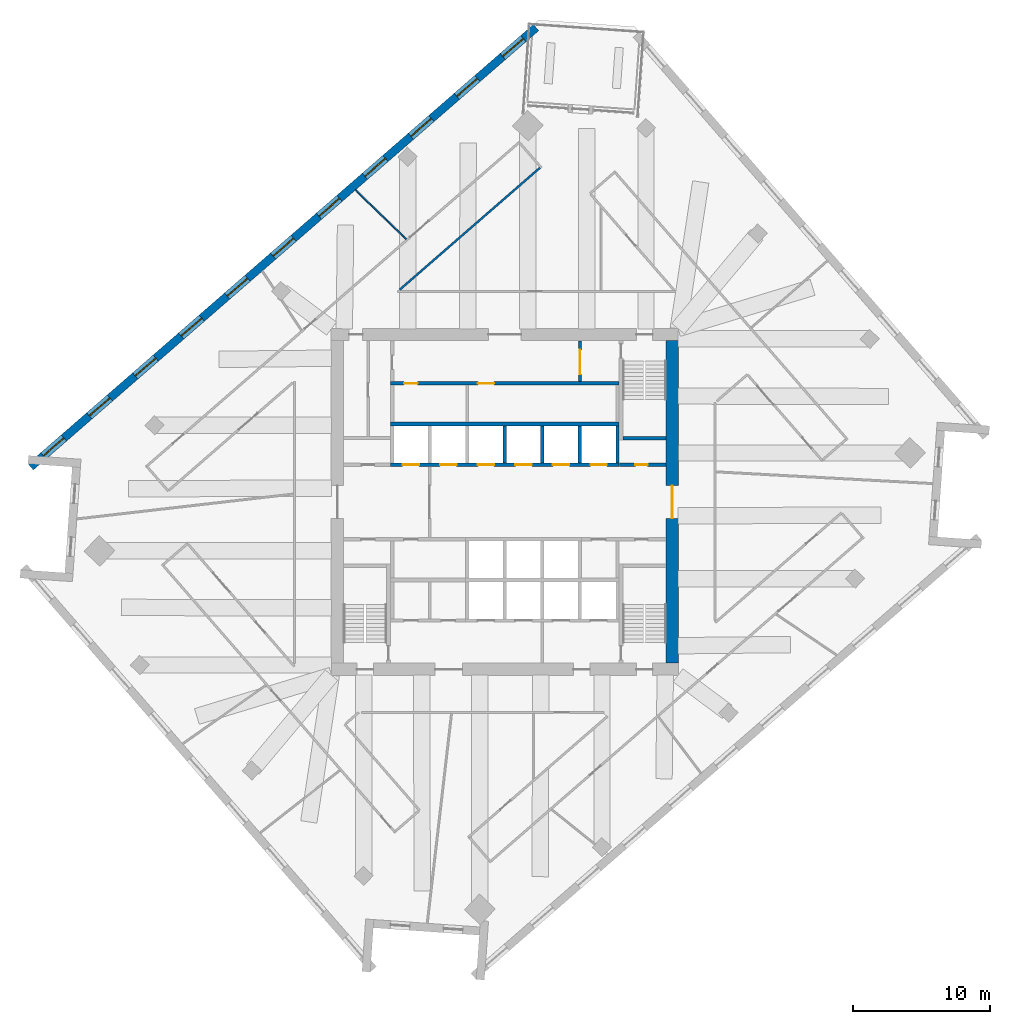
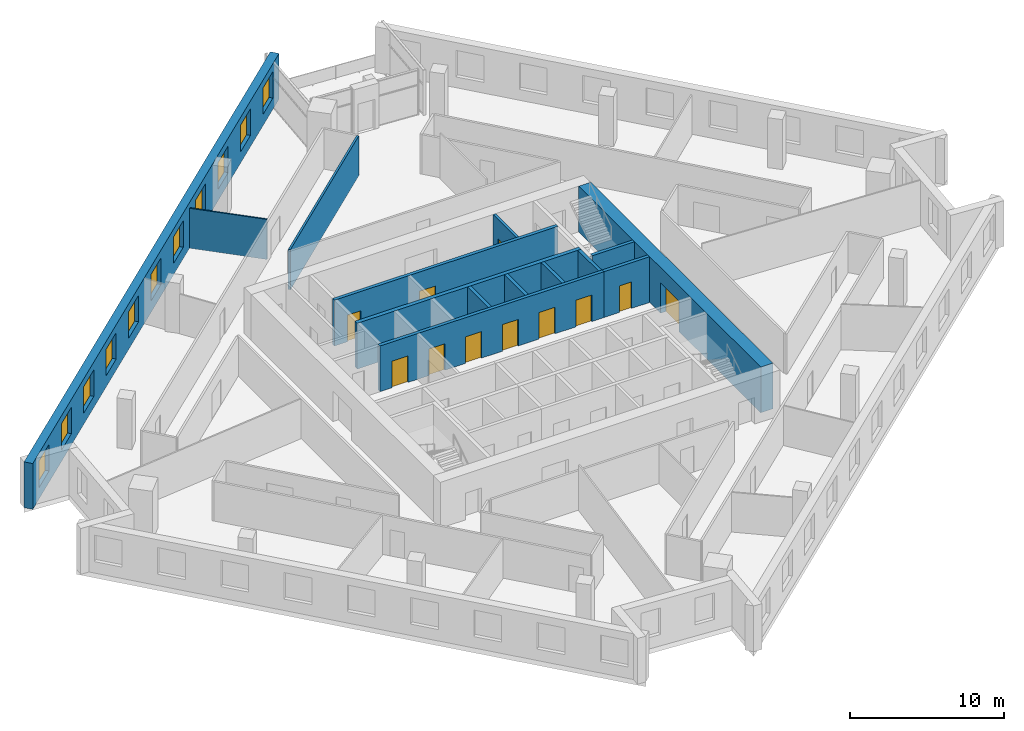
# One storey, part 7 of 11: 14 walls, 11 doors, 11 windows, 22 openings.
"""IFC4 building model written with IfcOpenShell, lengths in metres."""

from ifc_helpers import new_model, si_unit, direction, frame, frame_2d, origin, place, context, subcontext, project, spatial, rectangle, extrude, material, layer, layer_set, type_object, element, fill, save


model = new_model("IFC4")

# Units and contexts
model_context = context("Model", 3, precision=1e-05, world=origin(), true_north=direction((0.0, 1.0)))
body_context = subcontext(model_context, "Body", "Model", "MODEL_VIEW")
ifc_project = project(units=[si_unit("LENGTHUNIT", "METRE"), si_unit("AREAUNIT", "SQUARE_METRE"), si_unit("VOLUMEUNIT", "CUBIC_METRE"), si_unit("PLANEANGLEUNIT", "RADIAN"), si_unit("MASSUNIT", "GRAM", prefix="KILO")], contexts=[model_context])

# Site, building, storey
site_placement = place(None, origin())
site = spatial("IfcSite", under=ifc_project, at=site_placement, CompositionType="ELEMENT")
building_placement = place(site_placement, origin())
building = spatial("IfcBuilding", under=site, at=building_placement, Name="Dilmun Exchange Tower", CompositionType="ELEMENT")
storey_placement = place(building_placement, frame((0.0, 0.0, 189.300048828125)))
storey = spatial("IfcBuildingStorey", under=building, at=storey_placement, Name="L44", CompositionType="ELEMENT", Elevation=189.300048828125)

# Wall, opening, door
ifc_material_1 = material(Name="Concrete C40/50", Category="concrete")
ifc_layer_1 = layer(ifc_material_1, 0.199951171875)
ifc_layer_set_1 = layer_set([ifc_layer_1], Name="Concrete C40/50")
wall_type_1 = type_object("IfcWallType", Name="Core partition wall 200", PredefinedType="PARTITIONING", material=ifc_layer_set_1)
wall_1_placement = place(storey_placement, frame((5.5, 8.804931640625, 0.0), z_axis=(0.0, 0.0, 1.0), x_axis=(0.0, 1.0, 0.0)))
wall_1 = element("IfcWall", 1, at=wall_1_placement, inside=storey, type_object=wall_type_1, Name="L44 core partition wall 20", PredefinedType="PARTITIONING", context=body_context, shape_type="SweptSolid", body=[
    extrude(rectangle(XDim=2.989990234375, YDim=0.199951171875, at=frame_2d((1.4951171875, 0.0))), origin(), (0.0, 0.0, 1.0), 3.619873046875),
])
opening_1_placement = place(wall_1_placement, frame((0.532470703125, 0.0, 0.0)))
opening_1 = element("IfcOpeningElement", 2, at=opening_1_placement, cuts=wall_1, Name="Opening CD5", PredefinedType="OPENING", context=body_context, shape_type="SweptSolid", body=[
    extrude(rectangle(XDim=1.800048828125, YDim=2.10009765625, at=frame_2d((0.89990234375, 1.050048828125))), frame((0.0, 0.10986328125, 0.0), z_axis=(0.0, -1.0, 0.0), x_axis=(1.0, 0.0, 0.0)), (0.0, 0.0, 1.0), 0.219970703125),
])
ifc_material_2 = material(Name="Fire-rated steel door set", Category="steel")
door_type_1 = type_object("IfcDoorType", Name="Stair exit door 1800x2100", OperationType="SINGLE_SWING_LEFT", PredefinedType="DOOR", material=ifc_material_2)
door_1_placement = place(opening_1_placement, origin())
door_1 = element("IfcDoor", 3, at=door_1_placement, inside=storey, type_object=door_type_1, Name="L44 door Core corridor east", OperationType="SINGLE_SWING_LEFT", OverallHeight=2.10009765625, OverallWidth=1.800048828125, PredefinedType="DOOR", context=body_context, shape_type="SweptSolid", body=[
    extrude(rectangle(XDim=1.800048828125, YDim=2.10009765625, at=frame_2d((0.89990234375, 1.050048828125))), frame((0.0, 0.02490234375, 0.0), z_axis=(0.0, -1.0, 0.0), x_axis=(1.0, 0.0, 0.0)), (0.0, 0.0, 1.0), 0.050048828125),
])
fill(opening_1, door_1)

ifc_layer_2 = layer(ifc_material_1, 0.25)
ifc_layer_set_2 = layer_set([ifc_layer_2], Name="Concrete C40/50")
wall_type_2 = type_object("IfcWallType", Name="Core partition wall 250", PredefinedType="PARTITIONING", material=ifc_layer_set_2)
wall_2_placement = place(storey_placement, frame((8.3798828125, 2.72509765625, 0.0), z_axis=(0.0, 0.0, 1.0), x_axis=(1.0, 0.0, 0.0)))
wall_2 = element("IfcWall", 4, at=wall_2_placement, inside=storey, type_object=wall_type_2, Name="L44 core partition wall 12", PredefinedType="PARTITIONING", context=body_context, shape_type="SweptSolid", body=[
    extrude(rectangle(XDim=3.4150390625, YDim=0.25, at=frame_2d((1.70751953125, 0.0))), origin(), (0.0, 0.0, 1.0), 3.619873046875),
])
opening_2_placement = place(wall_2_placement, frame((1.169921875, 0.0, 0.0)))
opening_2 = element("IfcOpeningElement", 5, at=opening_2_placement, cuts=wall_2, Name="Opening CD6", PredefinedType="OPENING", context=body_context, shape_type="SweptSolid", body=[
    extrude(rectangle(XDim=0.89990234375, YDim=2.10009765625, at=frame_2d((0.449951171875, 1.050048828125))), frame((0.0, 0.135009765625, 0.0), z_axis=(0.0, -1.0, 0.0), x_axis=(1.0, 0.0, 0.0)), (0.0, 0.0, 1.0), 0.27001953125),
])
door_type_2 = type_object("IfcDoorType", Name="Core room door 900x2100", OperationType="SINGLE_SWING_LEFT", PredefinedType="DOOR", material=ifc_material_2)
door_2_placement = place(opening_2_placement, origin())
door_2 = element("IfcDoor", 6, at=door_2_placement, inside=storey, type_object=door_type_2, Name="L44 door Electrical riser", OperationType="SINGLE_SWING_LEFT", OverallHeight=2.10009765625, OverallWidth=0.89990234375, PredefinedType="DOOR", context=body_context, shape_type="SweptSolid", body=[
    extrude(rectangle(XDim=0.89990234375, YDim=2.10009765625, at=frame_2d((0.449951171875, 1.050048828125))), frame((0.0, 0.02490234375, 0.0), z_axis=(0.0, -1.0, 0.0), x_axis=(1.0, 0.0, 0.0)), (0.0, 0.0, 1.0), 0.050048828125),
])
fill(opening_2, door_2)

# Wall, openings, doors
wall_3_placement = place(storey_placement, frame((-8.35009765625, 8.675048828125, 0.0), z_axis=(0.0, 0.0, 1.0), x_axis=(1.0, 0.0, 0.0)))
wall_3 = element("IfcWall", 7, at=wall_3_placement, inside=storey, type_object=wall_type_2, Name="L44 core partition wall 18", PredefinedType="PARTITIONING", context=body_context, shape_type="SweptSolid", body=[
    extrude(rectangle(XDim=16.72021484375, YDim=0.25, at=frame_2d((8.360107421875, 0.0))), origin(), (0.0, 0.0, 1.0), 3.619873046875),
])
opening_3_placement = place(wall_3_placement, frame((0.97509765625, 0.0, 0.0)))
opening_3 = element("IfcOpeningElement", 8, at=opening_3_placement, cuts=wall_3, Name="Opening CD4", PredefinedType="OPENING", context=body_context, shape_type="SweptSolid", body=[
    extrude(rectangle(XDim=1.0, YDim=2.10009765625, at=frame_2d((0.5, 1.050048828125))), frame((0.0, 0.135009765625, 0.0), z_axis=(0.0, -1.0, 0.0), x_axis=(1.0, 0.0, 0.0)), (0.0, 0.0, 1.0), 0.27001953125),
])
opening_4_placement = place(wall_3_placement, frame((6.375, 0.0, 0.0)))
opening_4 = element("IfcOpeningElement", 9, at=opening_4_placement, cuts=wall_3, Name="Opening CD3", PredefinedType="OPENING", context=body_context, shape_type="SweptSolid", body=[
    extrude(rectangle(XDim=1.199951171875, YDim=2.10009765625, at=frame_2d((0.60009765625, 1.050048828125))), frame((0.0, 0.135009765625, 0.0), z_axis=(0.0, -1.0, 0.0), x_axis=(1.0, 0.0, 0.0)), (0.0, 0.0, 1.0), 0.27001953125),
])
door_type_3 = type_object("IfcDoorType", Name="Core room door 1000x2100", OperationType="SINGLE_SWING_LEFT", PredefinedType="DOOR", material=ifc_material_2)
door_3_placement = place(opening_3_placement, origin())
door_3 = element("IfcDoor", 10, at=door_3_placement, inside=storey, type_object=door_type_3, Name="L44 door Tenant services room", OperationType="SINGLE_SWING_LEFT", OverallHeight=2.10009765625, OverallWidth=1.0, PredefinedType="DOOR", context=body_context, shape_type="SweptSolid", body=[
    extrude(rectangle(XDim=1.0, YDim=2.10009765625, at=frame_2d((0.5, 1.050048828125))), frame((0.0, 0.02490234375, 0.0), z_axis=(0.0, -1.0, 0.0), x_axis=(1.0, 0.0, 0.0)), (0.0, 0.0, 1.0), 0.050048828125),
])
fill(opening_3, door_3)
door_type_4 = type_object("IfcDoorType", Name="Stair exit door 1200x2100", OperationType="SINGLE_SWING_LEFT", PredefinedType="DOOR", material=ifc_material_2)
door_4_placement = place(opening_4_placement, origin())
door_4 = element("IfcDoor", 11, at=door_4_placement, inside=storey, type_object=door_type_4, Name="L44 door Tenant amenity store", OperationType="SINGLE_SWING_LEFT", OverallHeight=2.10009765625, OverallWidth=1.199951171875, PredefinedType="DOOR", context=body_context, shape_type="SweptSolid", body=[
    extrude(rectangle(XDim=1.199951171875, YDim=2.10009765625, at=frame_2d((0.60009765625, 1.050048828125))), frame((0.0, 0.02490234375, 0.0), z_axis=(0.0, -1.0, 0.0), x_axis=(1.0, 0.0, 0.0)), (0.0, 0.0, 1.0), 0.050048828125),
])
fill(opening_4, door_4)

# Wall, opening, door
ifc_material_3 = material(Name="Concrete C60/75", Category="concrete")
ifc_layer_3 = layer(ifc_material_3, 0.89990234375)
ifc_layer_set_3 = layer_set([ifc_layer_3], Name="Concrete C60/75")
wall_type_3 = type_object("IfcWallType", Name="Core shear wall 900 Concrete C60/75", PredefinedType="SHEAR", material=ifc_layer_set_3)
wall_4_placement = place(storey_placement, frame((12.25, -11.800048828125, 0.0), z_axis=(0.0, 0.0, 1.0), x_axis=(0.0, 1.0, 0.0)))
wall_4 = element("IfcWall", 12, at=wall_4_placement, inside=storey, type_object=wall_type_3, Name="L44 core shear wall E", PredefinedType="SHEAR", context=body_context, shape_type="SweptSolid", body=[
    extrude(rectangle(XDim=23.60009765625, YDim=0.89990234375, at=frame_2d((11.800048828125, 0.0))), origin(), (0.0, 0.0, 1.0), 3.619873046875),
])
opening_5_placement = place(wall_4_placement, frame((10.60009765625, 0.0, 0.0)))
opening_5 = element("IfcOpeningElement", 13, at=opening_5_placement, cuts=wall_4, Name="Opening CD1", PredefinedType="OPENING", context=body_context, shape_type="SweptSolid", body=[
    extrude(rectangle(XDim=2.39990234375, YDim=2.39990234375, at=frame_2d((1.199951171875, 1.199951171875))), frame((0.0, 0.4599609375, 0.0), z_axis=(0.0, -1.0, 0.0), x_axis=(1.0, 0.0, 0.0)), (0.0, 0.0, 1.0), 0.919921875),
])
door_type_5 = type_object("IfcDoorType", Name="Core lobby door 2400x2400", OperationType="DOUBLE_DOOR_DOUBLE_SWING", PredefinedType="DOOR", material=ifc_material_2)
door_5_placement = place(opening_5_placement, origin())
door_5 = element("IfcDoor", 14, at=door_5_placement, inside=storey, type_object=door_type_5, Name="L44 door Central lift lobby", OperationType="SINGLE_SWING_LEFT", OverallHeight=2.39990234375, OverallWidth=2.39990234375, PredefinedType="DOOR", context=body_context, shape_type="SweptSolid", body=[
    extrude(rectangle(XDim=2.39990234375, YDim=2.39990234375, at=frame_2d((1.199951171875, 1.199951171875))), frame((0.0, 0.02490234375, 0.0), z_axis=(0.0, -1.0, 0.0), x_axis=(1.0, 0.0, 0.0)), (0.0, 0.0, 1.0), 0.050048828125),
])
fill(opening_5, door_5)

# Walls
ifc_material_4 = material(Name="Corridor wall 150")
ifc_layer_4 = layer(ifc_material_4, 0.14990234375)
ifc_layer_set_4 = layer_set([ifc_layer_4], Name="Corridor wall 150")
wall_type_4 = type_object("IfcWallType", Name="Corridor wall 150", PredefinedType="PARTITIONING", material=ifc_layer_set_4)
wall_5_placement = place(storey_placement, frame((-7.691650390625, 15.531494140625, 0.0), z_axis=(0.0, 0.0, 1.0), x_axis=(0.754705202017, 0.656064065506, 0.0)))
element("IfcWall", 15, at=wall_5_placement, inside=storey, type_object=wall_type_4, Name="Corridor wall", PredefinedType="PARTITIONING", context=body_context, shape_type="SweptSolid", body=[
    extrude(rectangle(XDim=13.602783203125, YDim=0.14990234375, at=frame_2d((6.80126953125, 0.0))), origin(), (0.0, 0.0, 1.0), 3.169921875),
])
ifc_layer_5 = layer(ifc_material_1, 0.300048828125)
ifc_layer_set_5 = layer_set([ifc_layer_5], Name="Concrete C40/50")
wall_type_5 = type_object("IfcWallType", Name="Lift shaft shared wall 300", PredefinedType="SOLIDWALL", material=ifc_layer_set_5)
wall_6_placement = place(storey_placement, frame((-8.375, 5.699951171875, 0.0), z_axis=(0.0, 0.0, 1.0), x_axis=(1.0, 0.0, 0.0)))
element("IfcWall", 16, at=wall_6_placement, inside=storey, type_object=wall_type_5, Name="L44 lift shaft rear wall N", PredefinedType="SOLIDWALL", context=body_context, shape_type="SweptSolid", body=[
    extrude(rectangle(XDim=16.75, YDim=0.300048828125, at=frame_2d((8.375, 0.0))), origin(), (0.0, 0.0, 1.0), 3.619873046875),
])

# Wall, openings, doors
ifc_layer_6 = layer(ifc_material_1, 0.25)
ifc_layer_set_6 = layer_set([ifc_layer_6], Name="Concrete C40/50")
wall_type_6 = type_object("IfcWallType", Name="Lift shaft wall 250", PredefinedType="SOLIDWALL", material=ifc_layer_set_6)
wall_7_placement = place(storey_placement, frame((-8.375, 2.72509765625, 0.0), z_axis=(0.0, 0.0, 1.0), x_axis=(1.0, 0.0, 0.0)))
wall_7 = element("IfcWall", 17, at=wall_7_placement, inside=storey, type_object=wall_type_6, Name="L44 lift shaft front wall N1", PredefinedType="SOLIDWALL", context=body_context, shape_type="SweptSolid", body=[
    extrude(rectangle(XDim=16.75, YDim=0.25, at=frame_2d((8.375, 0.0))), origin(), (0.0, 0.0, 1.0), 3.619873046875),
])
opening_6_placement = place(wall_7_placement, frame((0.89990234375, 0.0, 0.0)))
opening_6 = element("IfcOpeningElement", 18, at=opening_6_placement, cuts=wall_7, Name="Opening LD", PredefinedType="OPENING", context=body_context, shape_type="SweptSolid", body=[
    extrude(rectangle(XDim=1.199951171875, YDim=2.10009765625, at=frame_2d((0.60009765625, 1.050048828125))), frame((0.0, 0.135009765625, 0.0), z_axis=(0.0, -1.0, 0.0), x_axis=(1.0, 0.0, 0.0)), (0.0, 0.0, 1.0), 0.27001953125),
])
opening_7_placement = place(wall_7_placement, frame((3.64990234375, 0.0, 0.0)))
opening_7 = element("IfcOpeningElement", 19, at=opening_7_placement, cuts=wall_7, Name="Opening LD", PredefinedType="OPENING", context=body_context, shape_type="SweptSolid", body=[
    extrude(rectangle(XDim=1.199951171875, YDim=2.10009765625, at=frame_2d((0.60009765625, 1.050048828125))), frame((0.0, 0.135009765625, 0.0), z_axis=(0.0, -1.0, 0.0), x_axis=(1.0, 0.0, 0.0)), (0.0, 0.0, 1.0), 0.27001953125),
])
opening_8_placement = place(wall_7_placement, frame((6.39990234375, 0.0, 0.0)))
opening_8 = element("IfcOpeningElement", 20, at=opening_8_placement, cuts=wall_7, Name="Opening LD", PredefinedType="OPENING", context=body_context, shape_type="SweptSolid", body=[
    extrude(rectangle(XDim=1.199951171875, YDim=2.10009765625, at=frame_2d((0.60009765625, 1.050048828125))), frame((0.0, 0.135009765625, 0.0), z_axis=(0.0, -1.0, 0.0), x_axis=(1.0, 0.0, 0.0)), (0.0, 0.0, 1.0), 0.27001953125),
])
opening_9_placement = place(wall_7_placement, frame((9.14990234375, 0.0, 0.0)))
opening_9 = element("IfcOpeningElement", 21, at=opening_9_placement, cuts=wall_7, Name="Opening LD", PredefinedType="OPENING", context=body_context, shape_type="SweptSolid", body=[
    extrude(rectangle(XDim=1.199951171875, YDim=2.10009765625, at=frame_2d((0.60009765625, 1.050048828125))), frame((0.0, 0.135009765625, 0.0), z_axis=(0.0, -1.0, 0.0), x_axis=(1.0, 0.0, 0.0)), (0.0, 0.0, 1.0), 0.27001953125),
])
opening_10_placement = place(wall_7_placement, frame((11.89990234375, 0.0, 0.0)))
opening_10 = element("IfcOpeningElement", 22, at=opening_10_placement, cuts=wall_7, Name="Opening LD", PredefinedType="OPENING", context=body_context, shape_type="SweptSolid", body=[
    extrude(rectangle(XDim=1.199951171875, YDim=2.10009765625, at=frame_2d((0.60009765625, 1.050048828125))), frame((0.0, 0.135009765625, 0.0), z_axis=(0.0, -1.0, 0.0), x_axis=(1.0, 0.0, 0.0)), (0.0, 0.0, 1.0), 0.27001953125),
])
opening_11_placement = place(wall_7_placement, frame((14.64990234375, 0.0, 0.0)))
opening_11 = element("IfcOpeningElement", 23, at=opening_11_placement, cuts=wall_7, Name="Opening LD", PredefinedType="OPENING", context=body_context, shape_type="SweptSolid", body=[
    extrude(rectangle(XDim=1.199951171875, YDim=2.10009765625, at=frame_2d((0.60009765625, 1.050048828125))), frame((0.0, 0.135009765625, 0.0), z_axis=(0.0, -1.0, 0.0), x_axis=(1.0, 0.0, 0.0)), (0.0, 0.0, 1.0), 0.27001953125),
])
door_type_6 = type_object("IfcDoorType", Name="Lift landing door 1200x2100", OperationType="DOUBLE_DOOR_SLIDING", PredefinedType="DOOR", material=ifc_material_2)
door_6_placement = place(opening_6_placement, origin())
door_6 = element("IfcDoor", 24, at=door_6_placement, inside=storey, type_object=door_type_6, Name="L44 landing door MR1", OperationType="DOUBLE_DOOR_SLIDING", OverallHeight=2.10009765625, OverallWidth=1.199951171875, PredefinedType="DOOR", context=body_context, shape_type="SweptSolid", body=[
    extrude(rectangle(XDim=1.199951171875, YDim=2.10009765625, at=frame_2d((0.60009765625, 1.050048828125))), frame((0.0, 0.02490234375, 0.0), z_axis=(0.0, -1.0, 0.0), x_axis=(1.0, 0.0, 0.0)), (0.0, 0.0, 1.0), 0.050048828125),
])
fill(opening_6, door_6)
door_7_placement = place(opening_7_placement, origin())
door_7 = element("IfcDoor", 25, at=door_7_placement, inside=storey, type_object=door_type_6, Name="L44 landing door MR2", OperationType="DOUBLE_DOOR_SLIDING", OverallHeight=2.10009765625, OverallWidth=1.199951171875, PredefinedType="DOOR", context=body_context, shape_type="SweptSolid", body=[
    extrude(rectangle(XDim=1.199951171875, YDim=2.10009765625, at=frame_2d((0.60009765625, 1.050048828125))), frame((0.0, 0.02490234375, 0.0), z_axis=(0.0, -1.0, 0.0), x_axis=(1.0, 0.0, 0.0)), (0.0, 0.0, 1.0), 0.050048828125),
])
fill(opening_7, door_7)
door_8_placement = place(opening_8_placement, origin())
door_8 = element("IfcDoor", 26, at=door_8_placement, inside=storey, type_object=door_type_6, Name="L44 landing door MR3", OperationType="DOUBLE_DOOR_SLIDING", OverallHeight=2.10009765625, OverallWidth=1.199951171875, PredefinedType="DOOR", context=body_context, shape_type="SweptSolid", body=[
    extrude(rectangle(XDim=1.199951171875, YDim=2.10009765625, at=frame_2d((0.60009765625, 1.050048828125))), frame((0.0, 0.02490234375, 0.0), z_axis=(0.0, -1.0, 0.0), x_axis=(1.0, 0.0, 0.0)), (0.0, 0.0, 1.0), 0.050048828125),
])
fill(opening_8, door_8)
door_9_placement = place(opening_9_placement, origin())
door_9 = element("IfcDoor", 27, at=door_9_placement, inside=storey, type_object=door_type_6, Name="L44 landing door MR4", OperationType="DOUBLE_DOOR_SLIDING", OverallHeight=2.10009765625, OverallWidth=1.199951171875, PredefinedType="DOOR", context=body_context, shape_type="SweptSolid", body=[
    extrude(rectangle(XDim=1.199951171875, YDim=2.10009765625, at=frame_2d((0.60009765625, 1.050048828125))), frame((0.0, 0.02490234375, 0.0), z_axis=(0.0, -1.0, 0.0), x_axis=(1.0, 0.0, 0.0)), (0.0, 0.0, 1.0), 0.050048828125),
])
fill(opening_9, door_9)
door_10_placement = place(opening_10_placement, origin())
door_10 = element("IfcDoor", 28, at=door_10_placement, inside=storey, type_object=door_type_6, Name="L44 landing door MR5", OperationType="DOUBLE_DOOR_SLIDING", OverallHeight=2.10009765625, OverallWidth=1.199951171875, PredefinedType="DOOR", context=body_context, shape_type="SweptSolid", body=[
    extrude(rectangle(XDim=1.199951171875, YDim=2.10009765625, at=frame_2d((0.60009765625, 1.050048828125))), frame((0.0, 0.02490234375, 0.0), z_axis=(0.0, -1.0, 0.0), x_axis=(1.0, 0.0, 0.0)), (0.0, 0.0, 1.0), 0.050048828125),
])
fill(opening_10, door_10)
door_11_placement = place(opening_11_placement, origin())
door_11 = element("IfcDoor", 29, at=door_11_placement, inside=storey, type_object=door_type_6, Name="L44 landing door MR6", OperationType="DOUBLE_DOOR_SLIDING", OverallHeight=2.10009765625, OverallWidth=1.199951171875, PredefinedType="DOOR", context=body_context, shape_type="SweptSolid", body=[
    extrude(rectangle(XDim=1.199951171875, YDim=2.10009765625, at=frame_2d((0.60009765625, 1.050048828125))), frame((0.0, 0.02490234375, 0.0), z_axis=(0.0, -1.0, 0.0), x_axis=(1.0, 0.0, 0.0)), (0.0, 0.0, 1.0), 0.050048828125),
])
fill(opening_11, door_11)

# Walls
for number, where, z_axis, x_axis, name in (
    (30, (0.0, 2.85009765625, 0.0), (0.0, 0.0, 1.0), (0.0, 1.0, 0.0), "L44 lift shaft divider N13"),
    (31, (2.75, 2.85009765625, 0.0), (0.0, 0.0, 1.0), (0.0, 1.0, 0.0), "L44 lift shaft divider N14"),
    (32, (5.5, 2.85009765625, 0.0), (0.0, 0.0, 1.0), (0.0, 1.0, 0.0), "L44 lift shaft divider N15"),
    (33, (8.25, 2.85009765625, 0.0), (0.0, 0.0, 1.0), (0.0, 1.0, 0.0), "L44 lift shaft divider N16"),
):
    element("IfcWall", number, at=place(storey_placement, frame(where, z_axis=z_axis, x_axis=x_axis)), inside=storey, type_object=wall_type_6, Name=name, PredefinedType="SOLIDWALL", context=body_context, shape_type="SweptSolid", body=[
        extrude(rectangle(XDim=2.699951171875, YDim=0.25, at=frame_2d((1.35009765625, 0.0))), origin(), (0.0, 0.0, 1.0), 3.619873046875),
    ])
ifc_material_5 = material(Name="Partition 100")
ifc_layer_7 = layer(ifc_material_5, 0.10009765625)
ifc_layer_set_7 = layer_set([ifc_layer_7], Name="Partition 100")
wall_type_7 = type_object("IfcWallType", Name="Partition 100", PredefinedType="PARTITIONING", material=ifc_layer_set_7)
wall_8_placement = place(storey_placement, frame((-10.925537109375, 22.830078125, 0.0), z_axis=(0.0, 0.0, 1.0), x_axis=(0.718303647436, -0.695729739252, 0.0)))
element("IfcWall", 34, at=wall_8_placement, inside=storey, type_object=wall_type_7, Name="Partition", PredefinedType="PARTITIONING", context=body_context, shape_type="SweptSolid", body=[
    extrude(rectangle(XDim=5.169677734375, YDim=0.10009765625, at=frame_2d((2.5849609375, 0.0))), origin(), (0.0, 0.0, 1.0), 3.169921875),
])

# Wall, openings, windows
ifc_material_6 = material(Name="Precast concrete C50/60", Category="concrete")
ifc_layer_8 = layer(ifc_material_6, 0.60009765625)
ifc_layer_set_8 = layer_set([ifc_layer_8], Name="Precast concrete C50/60")
wall_type_8 = type_object("IfcWallType", Name="Precast stone-clad wall 600", PredefinedType="STANDARD", material=ifc_layer_set_8)
wall_9_placement = place(storey_placement, frame((2.28564453125, 34.71484375, 0.0), z_axis=(0.0, 0.0, 1.0), x_axis=(-0.754708272811, -0.656060532993, 0.0)))
wall_9 = element("IfcWall", 35, at=wall_9_placement, inside=storey, type_object=wall_type_8, Name="Facade wall L44-03", PredefinedType="STANDARD", context=body_context, shape_type="SweptSolid", body=[
    extrude(rectangle(XDim=49.0, YDim=0.60009765625, at=frame_2d((24.5, 0.0))), origin(), (0.0, 0.0, 1.0), 3.619873046875),
])
opening_12_placement = place(wall_9_placement, frame((1.227294921875, 0.0, 0.89990234375)))
opening_12 = element("IfcOpeningElement", 36, at=opening_12_placement, cuts=wall_9, Name="Opening W200-210", PredefinedType="OPENING", context=body_context, shape_type="SweptSolid", body=[
    extrude(rectangle(XDim=2.0, YDim=2.10009765625, at=frame_2d((1.0, 1.050048828125))), frame((0.0, 0.31005859375, 0.0), z_axis=(0.0, -1.0, 0.0), x_axis=(1.0, 0.0, 0.0)), (0.0, 0.0, 1.0), 0.6201171875),
])
opening_13_placement = place(wall_9_placement, frame((5.681884765625, 0.0, 0.89990234375)))
opening_13 = element("IfcOpeningElement", 37, at=opening_13_placement, cuts=wall_9, Name="Opening W200-210", PredefinedType="OPENING", context=body_context, shape_type="SweptSolid", body=[
    extrude(rectangle(XDim=2.0, YDim=2.10009765625, at=frame_2d((1.0, 1.050048828125))), frame((0.0, 0.31005859375, 0.0), z_axis=(0.0, -1.0, 0.0), x_axis=(1.0, 0.0, 0.0)), (0.0, 0.0, 1.0), 0.6201171875),
])
opening_14_placement = place(wall_9_placement, frame((10.136474609375, 0.0, 0.89990234375)))
opening_14 = element("IfcOpeningElement", 38, at=opening_14_placement, cuts=wall_9, Name="Opening W200-210", PredefinedType="OPENING", context=body_context, shape_type="SweptSolid", body=[
    extrude(rectangle(XDim=2.0, YDim=2.10009765625, at=frame_2d((1.0, 1.050048828125))), frame((0.0, 0.31005859375, 0.0), z_axis=(0.0, -1.0, 0.0), x_axis=(1.0, 0.0, 0.0)), (0.0, 0.0, 1.0), 0.6201171875),
])
opening_15_placement = place(wall_9_placement, frame((14.5908203125, 0.0, 0.89990234375)))
opening_15 = element("IfcOpeningElement", 39, at=opening_15_placement, cuts=wall_9, Name="Opening W200-210", PredefinedType="OPENING", context=body_context, shape_type="SweptSolid", body=[
    extrude(rectangle(XDim=2.0, YDim=2.10009765625, at=frame_2d((1.0, 1.050048828125))), frame((0.0, 0.31005859375, 0.0), z_axis=(0.0, -1.0, 0.0), x_axis=(1.0, 0.0, 0.0)), (0.0, 0.0, 1.0), 0.6201171875),
])
opening_16_placement = place(wall_9_placement, frame((19.04541015625, 0.0, 0.89990234375)))
opening_16 = element("IfcOpeningElement", 40, at=opening_16_placement, cuts=wall_9, Name="Opening W200-210", PredefinedType="OPENING", context=body_context, shape_type="SweptSolid", body=[
    extrude(rectangle(XDim=2.0, YDim=2.10009765625, at=frame_2d((1.0, 1.050048828125))), frame((0.0, 0.31005859375, 0.0), z_axis=(0.0, -1.0, 0.0), x_axis=(1.0, 0.0, 0.0)), (0.0, 0.0, 1.0), 0.6201171875),
])
opening_17_placement = place(wall_9_placement, frame((23.5, 0.0, 0.89990234375)))
opening_17 = element("IfcOpeningElement", 41, at=opening_17_placement, cuts=wall_9, Name="Opening W200-210", PredefinedType="OPENING", context=body_context, shape_type="SweptSolid", body=[
    extrude(rectangle(XDim=2.0, YDim=2.10009765625, at=frame_2d((1.0, 1.050048828125))), frame((0.0, 0.31005859375, 0.0), z_axis=(0.0, -1.0, 0.0), x_axis=(1.0, 0.0, 0.0)), (0.0, 0.0, 1.0), 0.6201171875),
])
opening_18_placement = place(wall_9_placement, frame((27.95458984375, 0.0, 0.89990234375)))
opening_18 = element("IfcOpeningElement", 42, at=opening_18_placement, cuts=wall_9, Name="Opening W200-210", PredefinedType="OPENING", context=body_context, shape_type="SweptSolid", body=[
    extrude(rectangle(XDim=2.0, YDim=2.10009765625, at=frame_2d((1.0, 1.050048828125))), frame((0.0, 0.31005859375, 0.0), z_axis=(0.0, -1.0, 0.0), x_axis=(1.0, 0.0, 0.0)), (0.0, 0.0, 1.0), 0.6201171875),
])
opening_19_placement = place(wall_9_placement, frame((32.4091796875, 0.0, 0.89990234375)))
opening_19 = element("IfcOpeningElement", 43, at=opening_19_placement, cuts=wall_9, Name="Opening W200-210", PredefinedType="OPENING", context=body_context, shape_type="SweptSolid", body=[
    extrude(rectangle(XDim=2.0, YDim=2.10009765625, at=frame_2d((1.0, 1.050048828125))), frame((0.0, 0.31005859375, 0.0), z_axis=(0.0, -1.0, 0.0), x_axis=(1.0, 0.0, 0.0)), (0.0, 0.0, 1.0), 0.6201171875),
])
opening_20_placement = place(wall_9_placement, frame((36.863525390625, 0.0, 0.89990234375)))
opening_20 = element("IfcOpeningElement", 44, at=opening_20_placement, cuts=wall_9, Name="Opening W200-210", PredefinedType="OPENING", context=body_context, shape_type="SweptSolid", body=[
    extrude(rectangle(XDim=2.0, YDim=2.10009765625, at=frame_2d((1.0, 1.050048828125))), frame((0.0, 0.31005859375, 0.0), z_axis=(0.0, -1.0, 0.0), x_axis=(1.0, 0.0, 0.0)), (0.0, 0.0, 1.0), 0.6201171875),
])
opening_21_placement = place(wall_9_placement, frame((41.318115234375, 0.0, 0.89990234375)))
opening_21 = element("IfcOpeningElement", 45, at=opening_21_placement, cuts=wall_9, Name="Opening W200-210", PredefinedType="OPENING", context=body_context, shape_type="SweptSolid", body=[
    extrude(rectangle(XDim=2.0, YDim=2.10009765625, at=frame_2d((1.0, 1.050048828125))), frame((0.0, 0.31005859375, 0.0), z_axis=(0.0, -1.0, 0.0), x_axis=(1.0, 0.0, 0.0)), (0.0, 0.0, 1.0), 0.6201171875),
])
opening_22_placement = place(wall_9_placement, frame((45.772705078125, 0.0, 0.89990234375)))
opening_22 = element("IfcOpeningElement", 46, at=opening_22_placement, cuts=wall_9, Name="Opening W200-210", PredefinedType="OPENING", context=body_context, shape_type="SweptSolid", body=[
    extrude(rectangle(XDim=2.0, YDim=2.10009765625, at=frame_2d((1.0, 1.050048828125))), frame((0.0, 0.31005859375, 0.0), z_axis=(0.0, -1.0, 0.0), x_axis=(1.0, 0.0, 0.0)), (0.0, 0.0, 1.0), 0.6201171875),
])
ifc_material_7 = material(Name="Clear low-emissivity glass in aluminium frame", Category="aluminium")
window_type = type_object("IfcWindowType", Name="Punched window 2000 x 2100", PartitioningType="DOUBLE_PANEL_VERTICAL", PredefinedType="WINDOW", material=ifc_material_7)
window_1_placement = place(opening_12_placement, origin())
window_1 = element("IfcWindow", 47, at=window_1_placement, inside=storey, type_object=window_type, Name="Window 4.1", OverallHeight=2.10009765625, OverallWidth=2.0, PartitioningType="SINGLE_PANEL", PredefinedType="WINDOW", context=body_context, shape_type="SweptSolid", body=[
    extrude(rectangle(XDim=2.0, YDim=2.10009765625, at=frame_2d((1.0, 1.050048828125))), frame((0.0, 0.030029296875, 0.0), z_axis=(0.0, -1.0, 0.0), x_axis=(1.0, 0.0, 0.0)), (0.0, 0.0, 1.0), 0.06005859375),
])
fill(opening_12, window_1)
window_2_placement = place(opening_13_placement, origin())
window_2 = element("IfcWindow", 48, at=window_2_placement, inside=storey, type_object=window_type, Name="Window 4.2", OverallHeight=2.10009765625, OverallWidth=2.0, PartitioningType="SINGLE_PANEL", PredefinedType="WINDOW", context=body_context, shape_type="SweptSolid", body=[
    extrude(rectangle(XDim=2.0, YDim=2.10009765625, at=frame_2d((1.0, 1.050048828125))), frame((0.0, 0.030029296875, 0.0), z_axis=(0.0, -1.0, 0.0), x_axis=(1.0, 0.0, 0.0)), (0.0, 0.0, 1.0), 0.06005859375),
])
fill(opening_13, window_2)
window_3_placement = place(opening_14_placement, origin())
window_3 = element("IfcWindow", 49, at=window_3_placement, inside=storey, type_object=window_type, Name="Window 4.3", OverallHeight=2.10009765625, OverallWidth=2.0, PartitioningType="SINGLE_PANEL", PredefinedType="WINDOW", context=body_context, shape_type="SweptSolid", body=[
    extrude(rectangle(XDim=2.0, YDim=2.10009765625, at=frame_2d((1.0, 1.050048828125))), frame((0.0, 0.030029296875, 0.0), z_axis=(0.0, -1.0, 0.0), x_axis=(1.0, 0.0, 0.0)), (0.0, 0.0, 1.0), 0.06005859375),
])
fill(opening_14, window_3)
window_4_placement = place(opening_15_placement, origin())
window_4 = element("IfcWindow", 50, at=window_4_placement, inside=storey, type_object=window_type, Name="Window 4.4", OverallHeight=2.10009765625, OverallWidth=2.0, PartitioningType="SINGLE_PANEL", PredefinedType="WINDOW", context=body_context, shape_type="SweptSolid", body=[
    extrude(rectangle(XDim=2.0, YDim=2.10009765625, at=frame_2d((1.0, 1.050048828125))), frame((0.0, 0.030029296875, 0.0), z_axis=(0.0, -1.0, 0.0), x_axis=(1.0, 0.0, 0.0)), (0.0, 0.0, 1.0), 0.06005859375),
])
fill(opening_15, window_4)
window_5_placement = place(opening_16_placement, origin())
window_5 = element("IfcWindow", 51, at=window_5_placement, inside=storey, type_object=window_type, Name="Window 4.5", OverallHeight=2.10009765625, OverallWidth=2.0, PartitioningType="SINGLE_PANEL", PredefinedType="WINDOW", context=body_context, shape_type="SweptSolid", body=[
    extrude(rectangle(XDim=2.0, YDim=2.10009765625, at=frame_2d((1.0, 1.050048828125))), frame((0.0, 0.030029296875, 0.0), z_axis=(0.0, -1.0, 0.0), x_axis=(1.0, 0.0, 0.0)), (0.0, 0.0, 1.0), 0.06005859375),
])
fill(opening_16, window_5)
window_6_placement = place(opening_17_placement, origin())
window_6 = element("IfcWindow", 52, at=window_6_placement, inside=storey, type_object=window_type, Name="Window 4.6", OverallHeight=2.10009765625, OverallWidth=2.0, PartitioningType="SINGLE_PANEL", PredefinedType="WINDOW", context=body_context, shape_type="SweptSolid", body=[
    extrude(rectangle(XDim=2.0, YDim=2.10009765625, at=frame_2d((1.0, 1.050048828125))), frame((0.0, 0.030029296875, 0.0), z_axis=(0.0, -1.0, 0.0), x_axis=(1.0, 0.0, 0.0)), (0.0, 0.0, 1.0), 0.06005859375),
])
fill(opening_17, window_6)
window_7_placement = place(opening_18_placement, origin())
window_7 = element("IfcWindow", 53, at=window_7_placement, inside=storey, type_object=window_type, Name="Window 4.7", OverallHeight=2.10009765625, OverallWidth=2.0, PartitioningType="SINGLE_PANEL", PredefinedType="WINDOW", context=body_context, shape_type="SweptSolid", body=[
    extrude(rectangle(XDim=2.0, YDim=2.10009765625, at=frame_2d((1.0, 1.050048828125))), frame((0.0, 0.030029296875, 0.0), z_axis=(0.0, -1.0, 0.0), x_axis=(1.0, 0.0, 0.0)), (0.0, 0.0, 1.0), 0.06005859375),
])
fill(opening_18, window_7)
window_8_placement = place(opening_19_placement, origin())
window_8 = element("IfcWindow", 54, at=window_8_placement, inside=storey, type_object=window_type, Name="Window 4.8", OverallHeight=2.10009765625, OverallWidth=2.0, PartitioningType="SINGLE_PANEL", PredefinedType="WINDOW", context=body_context, shape_type="SweptSolid", body=[
    extrude(rectangle(XDim=2.0, YDim=2.10009765625, at=frame_2d((1.0, 1.050048828125))), frame((0.0, 0.030029296875, 0.0), z_axis=(0.0, -1.0, 0.0), x_axis=(1.0, 0.0, 0.0)), (0.0, 0.0, 1.0), 0.06005859375),
])
fill(opening_19, window_8)
window_9_placement = place(opening_20_placement, origin())
window_9 = element("IfcWindow", 55, at=window_9_placement, inside=storey, type_object=window_type, Name="Window 4.9", OverallHeight=2.10009765625, OverallWidth=2.0, PartitioningType="SINGLE_PANEL", PredefinedType="WINDOW", context=body_context, shape_type="SweptSolid", body=[
    extrude(rectangle(XDim=2.0, YDim=2.10009765625, at=frame_2d((1.0, 1.050048828125))), frame((0.0, 0.030029296875, 0.0), z_axis=(0.0, -1.0, 0.0), x_axis=(1.0, 0.0, 0.0)), (0.0, 0.0, 1.0), 0.06005859375),
])
fill(opening_20, window_9)
window_10_placement = place(opening_21_placement, origin())
window_10 = element("IfcWindow", 56, at=window_10_placement, inside=storey, type_object=window_type, Name="Window 4.10", OverallHeight=2.10009765625, OverallWidth=2.0, PartitioningType="SINGLE_PANEL", PredefinedType="WINDOW", context=body_context, shape_type="SweptSolid", body=[
    extrude(rectangle(XDim=2.0, YDim=2.10009765625, at=frame_2d((1.0, 1.050048828125))), frame((0.0, 0.030029296875, 0.0), z_axis=(0.0, -1.0, 0.0), x_axis=(1.0, 0.0, 0.0)), (0.0, 0.0, 1.0), 0.06005859375),
])
fill(opening_21, window_10)
window_11_placement = place(opening_22_placement, origin())
window_11 = element("IfcWindow", 57, at=window_11_placement, inside=storey, type_object=window_type, Name="Window 4.11", OverallHeight=2.10009765625, OverallWidth=2.0, PartitioningType="SINGLE_PANEL", PredefinedType="WINDOW", context=body_context, shape_type="SweptSolid", body=[
    extrude(rectangle(XDim=2.0, YDim=2.10009765625, at=frame_2d((1.0, 1.050048828125))), frame((0.0, 0.030029296875, 0.0), z_axis=(0.0, -1.0, 0.0), x_axis=(1.0, 0.0, 0.0)), (0.0, 0.0, 1.0), 0.06005859375),
])
fill(opening_22, window_11)

# Wall
ifc_layer_9 = layer(ifc_material_1, 0.25)
ifc_layer_set_9 = layer_set([ifc_layer_9], Name="Concrete C40/50")
wall_type_9 = type_object("IfcWallType", Name="Stair end wall 250", PredefinedType="SOLIDWALL", material=ifc_layer_set_9)
wall_10_placement = place(storey_placement, frame((8.64990234375, 4.675048828125, 0.0), z_axis=(0.0, 0.0, 1.0), x_axis=(1.0, 0.0, 0.0)))
element("IfcWall", 58, at=wall_10_placement, inside=storey, type_object=wall_type_9, Name="L44 ST1 far wall", PredefinedType="SOLIDWALL", context=body_context, shape_type="SweptSolid", body=[
    extrude(rectangle(XDim=3.150146484375, YDim=0.25, at=frame_2d((1.5751953125, 0.0))), origin(), (0.0, 0.0, 1.0), 3.619873046875),
])

save(model, "model.ifc")
